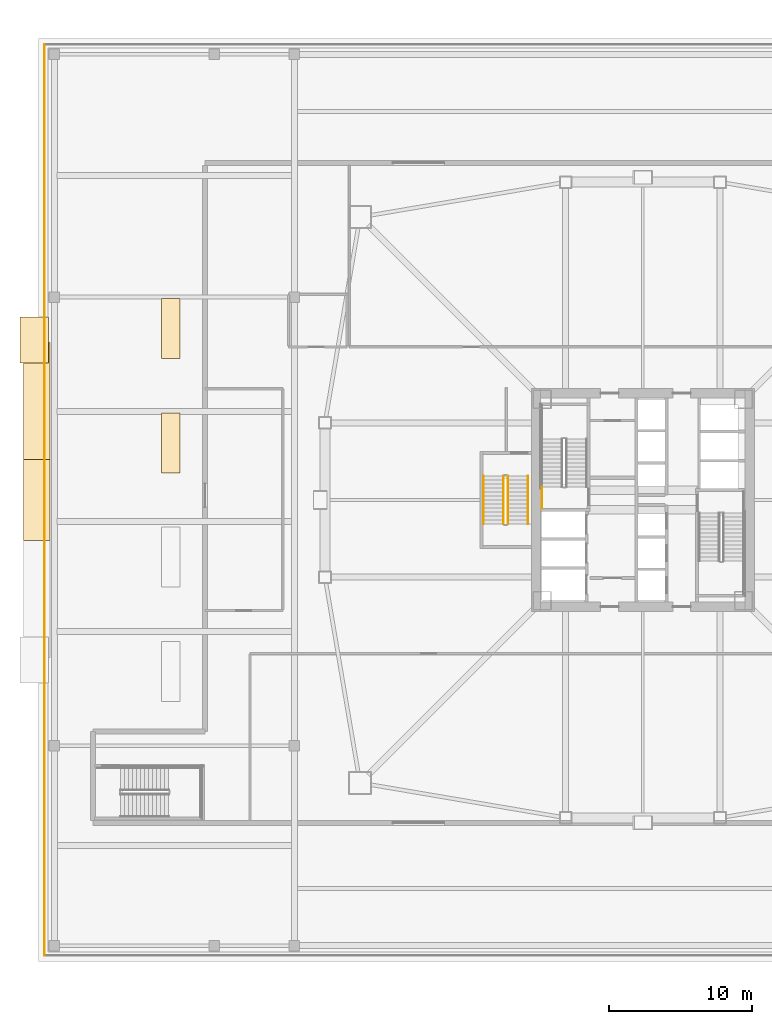
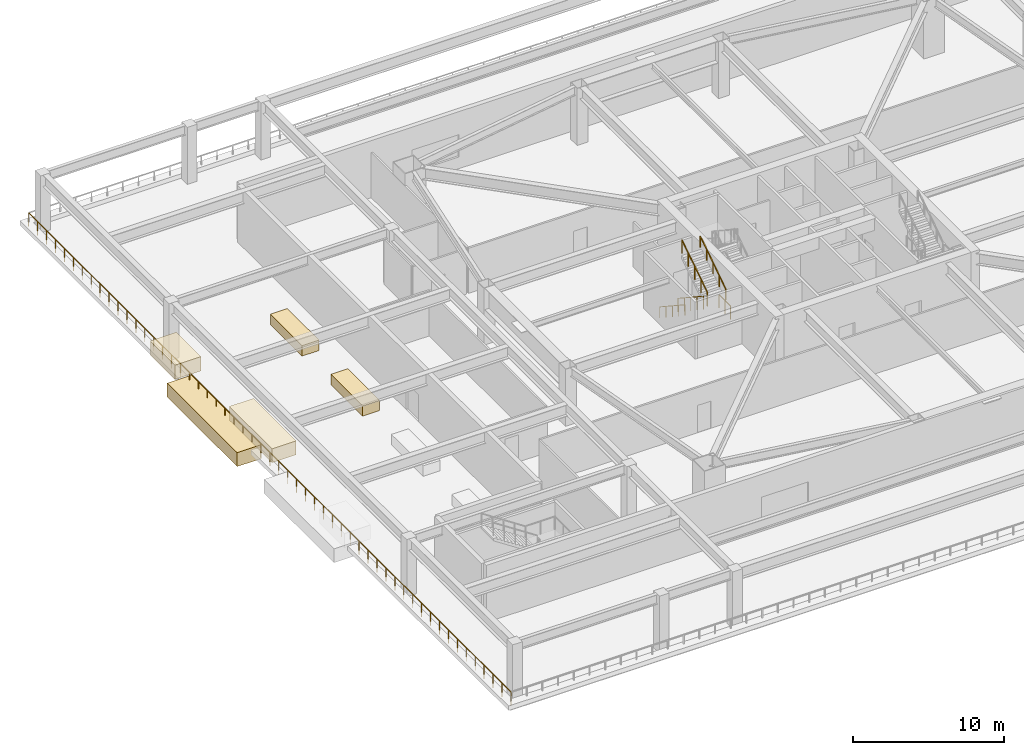
# One storey, part 15 of 21: 6 railings, 5 coverings.
"""IFC4 building model written with IfcOpenShell, lengths in metres."""

from ifc_helpers import new_model, si_unit, direction, frame, origin, origin_2d, place, context, subcontext, project, spatial, rectangle, extrude, material, layer, layer_set, type_object, element, save


model = new_model("IFC4")

# Units and contexts
model_context = context("Model", 3, precision=1e-05, world=origin(), true_north=direction((0.0, 1.0)))
body_context = subcontext(model_context, "Body", "Model", "MODEL_VIEW")
ifc_project = project(units=[si_unit("LENGTHUNIT", "METRE"), si_unit("AREAUNIT", "SQUARE_METRE"), si_unit("VOLUMEUNIT", "CUBIC_METRE"), si_unit("PLANEANGLEUNIT", "RADIAN"), si_unit("MASSUNIT", "GRAM", prefix="KILO")], contexts=[model_context])

# Site, building, storey
site_placement = place(None, origin())
site = spatial("IfcSite", under=ifc_project, at=site_placement, CompositionType="ELEMENT")
building_placement = place(site_placement, origin())
building = spatial("IfcBuilding", under=site, at=building_placement, Name="Tashvorn Skyway Center", CompositionType="ELEMENT")
storey_placement = place(building_placement, frame((0.0, 0.0, 19.800048828125)))
storey = spatial("IfcBuildingStorey", under=building, at=storey_placement, Name="L04", CompositionType="ELEMENT", Elevation=19.800048828125)

# Coverings
ifc_material_1 = material(Name="Precast concrete C40/50", Category="concrete")
ifc_layer = layer(ifc_material_1, 0.35009765625)
ifc_layer_set = layer_set([ifc_layer], Name="Precast concrete C40/50")
covering_type = type_object("IfcCoveringType", Name="COV-STONE-TRIM", PredefinedType="CLADDING", material=ifc_layer_set)
for number, where, z_axis, x_axis, name in (
    (1, (8.949951171875, 36.0, 0.0), (0.0, 0.0, 1.0), (1.0, 0.0, 0.0), "L04 Colonnade Terrace Stone Planter 3"),
    (2, (8.949951171875, 44.0, 0.0), (0.0, 0.0, 1.0), (1.0, 0.0, 0.0), "L04 Colonnade Terrace Stone Planter 4"),
):
    element("IfcCovering", number, at=place(storey_placement, frame(where, z_axis=z_axis, x_axis=x_axis)), inside=storey, type_object=covering_type, Name=name, PredefinedType="CLADDING", context=body_context, shape_type="SweptSolid", body=[
        extrude(rectangle(XDim=1.300048828125, YDim=4.199951171875, at=origin_2d()), origin(), (0.0, 0.0, 1.0), 0.840087890625),
    ])
covering_1_placement = place(storey_placement, frame((-0.60009765625, 43.199951171875, 1.77490234375), z_axis=(0.0, 0.0, 1.0), x_axis=(1.0, 0.0, 0.0)))
element("IfcCovering", 3, at=covering_1_placement, inside=storey, type_object=covering_type, Name="Station Pylon Terracotta Capital WEST 2", PredefinedType="CLADDING", context=body_context, shape_type="SweptSolid", body=[
    extrude(rectangle(XDim=2.0, YDim=3.25, at=origin_2d()), origin(), (0.0, 0.0, 1.0), 1.14990234375),
])
covering_2_placement = place(storey_placement, frame((-0.419921875, 38.39990234375, -0.610107421875), z_axis=(0.0, 0.0, 1.0), x_axis=(1.0, 0.0, 0.0)))
element("IfcCovering", 4, at=covering_2_placement, inside=storey, type_object=covering_type, Name="Station Split-Pediment Terracotta Crest WEST R", PredefinedType="CLADDING", context=body_context, shape_type="SweptSolid", body=[
    extrude(rectangle(XDim=1.85009765625, YDim=9.25, at=origin_2d()), origin(), (0.0, 0.0, 1.0), 1.1201171875),
])
covering_3_placement = place(storey_placement, frame((-0.419921875, 32.0, 2.489990234375), z_axis=(0.0, 0.0, 1.0), x_axis=(1.0, 0.0, 0.0)))
element("IfcCovering", 5, at=covering_3_placement, inside=storey, type_object=covering_type, Name="Station Split-Pediment Terracotta Crest WEST KEY", PredefinedType="CLADDING", context=body_context, shape_type="SweptSolid", body=[
    extrude(rectangle(XDim=1.85009765625, YDim=5.64990234375, at=origin_2d()), origin(), (0.0, 0.0, 1.0), 1.1201171875),
])

# Railings
ifc_material_2 = material(Name="Galvanized steel S355", Category="steel")
railing_type_1 = type_object("IfcRailingType", Name="RAIL-GUARD-1120", PredefinedType="GUARDRAIL", material=ifc_material_2)
railing_1_placement = place(storey_placement, frame((0.1201171875, 63.8798828125, 0.0)))
element("IfcRailing", 6, at=railing_1_placement, inside=storey, type_object=railing_type_1, Name="L04 Stepped Podium Colonnade Terrace Guardrail 04", PredefinedType="GUARDRAIL", context=body_context, shape_type="SweptSolid", body=[
    extrude(rectangle(XDim=0.048095703125, YDim=0.048095703125, at=origin_2d()), frame((0.0, 0.0, 1.09619140625), z_axis=(0.0, -1.0, 0.0), x_axis=(1.0, 0.0, 0.0)), (0.0, 0.0, 1.0), 63.759765625),
    extrude(rectangle(XDim=0.0419921875, YDim=0.0419921875, at=origin_2d()), origin(), (0.0, 0.0, 1.0), 1.072021484375),
    extrude(rectangle(XDim=0.0419921875, YDim=0.0419921875, at=origin_2d()), frame((0.0, -1.1806640625, 0.0)), (0.0, 0.0, 1.0), 1.072021484375),
    extrude(rectangle(XDim=0.0419921875, YDim=0.0419921875, at=origin_2d()), frame((0.0, -2.361572265625, 0.0)), (0.0, 0.0, 1.0), 1.072021484375),
    extrude(rectangle(XDim=0.0419921875, YDim=0.0419921875, at=origin_2d()), frame((0.0, -3.542236328125, 0.0)), (0.0, 0.0, 1.0), 1.072021484375),
    extrude(rectangle(XDim=0.0419921875, YDim=0.0419921875, at=origin_2d()), frame((0.0, -4.722900390625, 0.0)), (0.0, 0.0, 1.0), 1.072021484375),
    extrude(rectangle(XDim=0.0419921875, YDim=0.0419921875, at=origin_2d()), frame((0.0, -5.903564453125, 0.0)), (0.0, 0.0, 1.0), 1.072021484375),
    extrude(rectangle(XDim=0.0419921875, YDim=0.0419921875, at=origin_2d()), frame((0.0, -7.08447265625, 0.0)), (0.0, 0.0, 1.0), 1.072021484375),
    extrude(rectangle(XDim=0.0419921875, YDim=0.0419921875, at=origin_2d()), frame((0.0, -8.26513671875, 0.0)), (0.0, 0.0, 1.0), 1.072021484375),
    extrude(rectangle(XDim=0.0419921875, YDim=0.0419921875, at=origin_2d()), frame((0.0, -9.44580078125, 0.0)), (0.0, 0.0, 1.0), 1.072021484375),
    extrude(rectangle(XDim=0.0419921875, YDim=0.0419921875, at=origin_2d()), frame((0.0, -10.626708984375, 0.0)), (0.0, 0.0, 1.0), 1.072021484375),
    extrude(rectangle(XDim=0.0419921875, YDim=0.0419921875, at=origin_2d()), frame((0.0, -11.807373046875, 0.0)), (0.0, 0.0, 1.0), 1.072021484375),
    extrude(rectangle(XDim=0.0419921875, YDim=0.0419921875, at=origin_2d()), frame((0.0, -12.988037109375, 0.0)), (0.0, 0.0, 1.0), 1.072021484375),
    extrude(rectangle(XDim=0.0419921875, YDim=0.0419921875, at=origin_2d()), frame((0.0, -14.1689453125, 0.0)), (0.0, 0.0, 1.0), 1.072021484375),
    extrude(rectangle(XDim=0.0419921875, YDim=0.0419921875, at=origin_2d()), frame((0.0, -15.349609375, 0.0)), (0.0, 0.0, 1.0), 1.072021484375),
    extrude(rectangle(XDim=0.0419921875, YDim=0.0419921875, at=origin_2d()), frame((0.0, -16.5302734375, 0.0)), (0.0, 0.0, 1.0), 1.072021484375),
    extrude(rectangle(XDim=0.0419921875, YDim=0.0419921875, at=origin_2d()), frame((0.0, -17.7109375, 0.0)), (0.0, 0.0, 1.0), 1.072021484375),
    extrude(rectangle(XDim=0.0419921875, YDim=0.0419921875, at=origin_2d()), frame((0.0, -18.891845703125, 0.0)), (0.0, 0.0, 1.0), 1.072021484375),
    extrude(rectangle(XDim=0.0419921875, YDim=0.0419921875, at=origin_2d()), frame((0.0, -20.072509765625, 0.0)), (0.0, 0.0, 1.0), 1.072021484375),
    extrude(rectangle(XDim=0.0419921875, YDim=0.0419921875, at=origin_2d()), frame((0.0, -21.253173828125, 0.0)), (0.0, 0.0, 1.0), 1.072021484375),
    extrude(rectangle(XDim=0.0419921875, YDim=0.0419921875, at=origin_2d()), frame((0.0, -22.43408203125, 0.0)), (0.0, 0.0, 1.0), 1.072021484375),
    extrude(rectangle(XDim=0.0419921875, YDim=0.0419921875, at=origin_2d()), frame((0.0, -23.61474609375, 0.0)), (0.0, 0.0, 1.0), 1.072021484375),
    extrude(rectangle(XDim=0.0419921875, YDim=0.0419921875, at=origin_2d()), frame((0.0, -24.79541015625, 0.0)), (0.0, 0.0, 1.0), 1.072021484375),
    extrude(rectangle(XDim=0.0419921875, YDim=0.0419921875, at=origin_2d()), frame((0.0, -25.976318359375, 0.0)), (0.0, 0.0, 1.0), 1.072021484375),
    extrude(rectangle(XDim=0.0419921875, YDim=0.0419921875, at=origin_2d()), frame((0.0, -27.156982421875, 0.0)), (0.0, 0.0, 1.0), 1.072021484375),
    extrude(rectangle(XDim=0.0419921875, YDim=0.0419921875, at=origin_2d()), frame((0.0, -28.337646484375, 0.0)), (0.0, 0.0, 1.0), 1.072021484375),
    extrude(rectangle(XDim=0.0419921875, YDim=0.0419921875, at=origin_2d()), frame((0.0, -29.518310546875, 0.0)), (0.0, 0.0, 1.0), 1.072021484375),
    extrude(rectangle(XDim=0.0419921875, YDim=0.0419921875, at=origin_2d()), frame((0.0, -30.69921875, 0.0)), (0.0, 0.0, 1.0), 1.072021484375),
    extrude(rectangle(XDim=0.0419921875, YDim=0.0419921875, at=origin_2d()), frame((0.0, -31.8798828125, 0.0)), (0.0, 0.0, 1.0), 1.072021484375),
    extrude(rectangle(XDim=0.0419921875, YDim=0.0419921875, at=origin_2d()), frame((0.0, -33.060546875, 0.0)), (0.0, 0.0, 1.0), 1.072021484375),
    extrude(rectangle(XDim=0.0419921875, YDim=0.0419921875, at=origin_2d()), frame((0.0, -34.241455078125, 0.0)), (0.0, 0.0, 1.0), 1.072021484375),
    extrude(rectangle(XDim=0.0419921875, YDim=0.0419921875, at=origin_2d()), frame((0.0, -35.422119140625, 0.0)), (0.0, 0.0, 1.0), 1.072021484375),
    extrude(rectangle(XDim=0.0419921875, YDim=0.0419921875, at=origin_2d()), frame((0.0, -36.602783203125, 0.0)), (0.0, 0.0, 1.0), 1.072021484375),
    extrude(rectangle(XDim=0.0419921875, YDim=0.0419921875, at=origin_2d()), frame((0.0, -37.783447265625, 0.0)), (0.0, 0.0, 1.0), 1.072021484375),
    extrude(rectangle(XDim=0.0419921875, YDim=0.0419921875, at=origin_2d()), frame((0.0, -38.96435546875, 0.0)), (0.0, 0.0, 1.0), 1.072021484375),
    extrude(rectangle(XDim=0.0419921875, YDim=0.0419921875, at=origin_2d()), frame((0.0, -40.14501953125, 0.0)), (0.0, 0.0, 1.0), 1.072021484375),
    extrude(rectangle(XDim=0.0419921875, YDim=0.0419921875, at=origin_2d()), frame((0.0, -41.32568359375, 0.0)), (0.0, 0.0, 1.0), 1.072021484375),
    extrude(rectangle(XDim=0.0419921875, YDim=0.0419921875, at=origin_2d()), frame((0.0, -42.506591796875, 0.0)), (0.0, 0.0, 1.0), 1.072021484375),
    extrude(rectangle(XDim=0.0419921875, YDim=0.0419921875, at=origin_2d()), frame((0.0, -43.687255859375, 0.0)), (0.0, 0.0, 1.0), 1.072021484375),
    extrude(rectangle(XDim=0.0419921875, YDim=0.0419921875, at=origin_2d()), frame((0.0, -44.867919921875, 0.0)), (0.0, 0.0, 1.0), 1.072021484375),
    extrude(rectangle(XDim=0.0419921875, YDim=0.0419921875, at=origin_2d()), frame((0.0, -46.048828125, 0.0)), (0.0, 0.0, 1.0), 1.072021484375),
    extrude(rectangle(XDim=0.0419921875, YDim=0.0419921875, at=origin_2d()), frame((0.0, -47.2294921875, 0.0)), (0.0, 0.0, 1.0), 1.072021484375),
    extrude(rectangle(XDim=0.0419921875, YDim=0.0419921875, at=origin_2d()), frame((0.0, -48.41015625, 0.0)), (0.0, 0.0, 1.0), 1.072021484375),
    extrude(rectangle(XDim=0.0419921875, YDim=0.0419921875, at=origin_2d()), frame((0.0, -49.5908203125, 0.0)), (0.0, 0.0, 1.0), 1.072021484375),
    extrude(rectangle(XDim=0.0419921875, YDim=0.0419921875, at=origin_2d()), frame((0.0, -50.771728515625, 0.0)), (0.0, 0.0, 1.0), 1.072021484375),
    extrude(rectangle(XDim=0.0419921875, YDim=0.0419921875, at=origin_2d()), frame((0.0, -51.952392578125, 0.0)), (0.0, 0.0, 1.0), 1.072021484375),
    extrude(rectangle(XDim=0.0419921875, YDim=0.0419921875, at=origin_2d()), frame((0.0, -53.133056640625, 0.0)), (0.0, 0.0, 1.0), 1.072021484375),
    extrude(rectangle(XDim=0.0419921875, YDim=0.0419921875, at=origin_2d()), frame((0.0, -54.31396484375, 0.0)), (0.0, 0.0, 1.0), 1.072021484375),
    extrude(rectangle(XDim=0.0419921875, YDim=0.0419921875, at=origin_2d()), frame((0.0, -55.49462890625, 0.0)), (0.0, 0.0, 1.0), 1.072021484375),
    extrude(rectangle(XDim=0.0419921875, YDim=0.0419921875, at=origin_2d()), frame((0.0, -56.67529296875, 0.0)), (0.0, 0.0, 1.0), 1.072021484375),
    extrude(rectangle(XDim=0.0419921875, YDim=0.0419921875, at=origin_2d()), frame((0.0, -57.856201171875, 0.0)), (0.0, 0.0, 1.0), 1.072021484375),
    extrude(rectangle(XDim=0.0419921875, YDim=0.0419921875, at=origin_2d()), frame((0.0, -59.036865234375, 0.0)), (0.0, 0.0, 1.0), 1.072021484375),
    extrude(rectangle(XDim=0.0419921875, YDim=0.0419921875, at=origin_2d()), frame((0.0, -60.217529296875, 0.0)), (0.0, 0.0, 1.0), 1.072021484375),
    extrude(rectangle(XDim=0.0419921875, YDim=0.0419921875, at=origin_2d()), frame((0.0, -61.398193359375, 0.0)), (0.0, 0.0, 1.0), 1.072021484375),
    extrude(rectangle(XDim=0.0419921875, YDim=0.0419921875, at=origin_2d()), frame((0.0, -62.5791015625, 0.0)), (0.0, 0.0, 1.0), 1.072021484375),
    extrude(rectangle(XDim=0.0419921875, YDim=0.0419921875, at=origin_2d()), frame((0.0, -63.759765625, 0.0)), (0.0, 0.0, 1.0), 1.072021484375),
])
ifc_material_3 = material(Name="Brushed stainless steel 316", Category="steel")
railing_type_2 = type_object("IfcRailingType", Name="RAIL-HAND-920", PredefinedType="HANDRAIL", material=ifc_material_3)
railing_2_placement = place(storey_placement, frame((30.85009765625, 33.679931640625, 0.1845703125)))
element("IfcRailing", 7, at=railing_2_placement, inside=storey, type_object=railing_type_2, Name="L04 ST-T1-3 stair handrail 1", PredefinedType="HANDRAIL", context=body_context, shape_type="SweptSolid", body=[
    extrude(rectangle(XDim=0.048095703125, YDim=0.048095703125, at=origin_2d()), frame((0.0, 0.0, 0.8759765625), z_axis=(0.0, -0.834858096282, 0.550465220583), x_axis=(1.0, 0.0, 0.0)), (0.0, 0.0, 1.0), 4.0244140625),
    extrude(rectangle(XDim=0.0419921875, YDim=0.0419921875, at=origin_2d()), origin(), (0.0, 0.0, 1.0), 0.851806640625),
    extrude(rectangle(XDim=0.0419921875, YDim=0.0419921875, at=origin_2d()), frame((0.0, -0.83984375, 0.5537109375)), (0.0, 0.0, 1.0), 0.851806640625),
    extrude(rectangle(XDim=0.0419921875, YDim=0.0419921875, at=origin_2d()), frame((0.0, -1.679931640625, 1.107666015625)), (0.0, 0.0, 1.0), 0.851806640625),
    extrude(rectangle(XDim=0.0419921875, YDim=0.0419921875, at=origin_2d()), frame((0.0, -2.52001953125, 1.66162109375)), (0.0, 0.0, 1.0), 0.851806640625),
    extrude(rectangle(XDim=0.0419921875, YDim=0.0419921875, at=origin_2d()), frame((0.0, -3.35986328125, 2.21533203125)), (0.0, 0.0, 1.0), 0.851806640625),
])
railing_3_placement = place(storey_placement, frame((33.949951171875, 30.320068359375, 2.58447265625)))
element("IfcRailing", 8, at=railing_3_placement, inside=storey, type_object=railing_type_2, Name="L04 ST-T1-3 stair handrail 2", PredefinedType="HANDRAIL", context=body_context, shape_type="SweptSolid", body=[
    extrude(rectangle(XDim=0.048095703125, YDim=0.048095703125, at=origin_2d()), frame((0.0, 0.0, 0.8759765625), z_axis=(0.0, 0.83483021737, 0.550507500554), x_axis=(-1.0, 0.0, 0.0)), (0.0, 0.0, 1.0), 4.024658203125),
    extrude(rectangle(XDim=0.0419921875, YDim=0.0419921875, at=origin_2d()), origin(), (0.0, 0.0, 1.0), 0.851806640625),
    extrude(rectangle(XDim=0.0419921875, YDim=0.0419921875, at=origin_2d()), frame((0.0, 0.83984375, 0.553955078125)), (0.0, 0.0, 1.0), 0.851806640625),
    extrude(rectangle(XDim=0.0419921875, YDim=0.0419921875, at=origin_2d()), frame((0.0, 1.679931640625, 1.10791015625)), (0.0, 0.0, 1.0), 0.851806640625),
    extrude(rectangle(XDim=0.0419921875, YDim=0.0419921875, at=origin_2d()), frame((0.0, 2.52001953125, 1.66162109375)), (0.0, 0.0, 1.0), 0.851806640625),
    extrude(rectangle(XDim=0.0419921875, YDim=0.0419921875, at=origin_2d()), frame((0.0, 3.35986328125, 2.215576171875)), (0.0, 0.0, 1.0), 0.851806640625),
])
ifc_material_4 = material(Name="Painted galvanized steel S355", Category="steel")
railing_type_3 = type_object("IfcRailingType", Name="RAIL-STGUARD-1100", PredefinedType="GUARDRAIL", material=ifc_material_4)
railing_4_placement = place(storey_placement, frame((34.949951171875, 31.39990234375, 0.0)))
element("IfcRailing", 9, at=railing_4_placement, inside=storey, type_object=railing_type_3, Name="L04 ST-T1-1 stair guard 6", PredefinedType="GUARDRAIL", context=body_context, shape_type="SweptSolid", body=[
    extrude(rectangle(XDim=0.048095703125, YDim=0.048095703125, at=origin_2d()), frame((0.0, 0.0, 1.076171875), z_axis=(0.0, 1.0, 0.0), x_axis=(-1.0, 0.0, 0.0)), (0.0, 0.0, 1.0), 1.52001953125),
    extrude(rectangle(XDim=0.0419921875, YDim=0.0419921875, at=origin_2d()), origin(), (0.0, 0.0, 1.0), 1.052001953125),
    extrude(rectangle(XDim=0.0419921875, YDim=0.0419921875, at=origin_2d()), frame((0.0, 0.760009765625, 0.0)), (0.0, 0.0, 1.0), 1.052001953125),
    extrude(rectangle(XDim=0.0419921875, YDim=0.0419921875, at=origin_2d()), frame((0.0, 1.52001953125, 0.0)), (0.0, 0.0, 1.0), 1.052001953125),
])
railing_5_placement = place(storey_placement, frame((32.25, 33.679931640625, 0.1845703125)))
element("IfcRailing", 10, at=railing_5_placement, inside=storey, type_object=railing_type_3, Name="L04 ST-T1-3 stair guard 1", PredefinedType="GUARDRAIL", context=body_context, shape_type="SweptSolid", body=[
    extrude(rectangle(XDim=0.048095703125, YDim=0.048095703125, at=origin_2d()), frame((0.0, 0.0, 1.076171875), z_axis=(0.0, -0.834858096282, 0.550465220583), x_axis=(1.0, 0.0, 0.0)), (0.0, 0.0, 1.0), 4.0244140625),
    extrude(rectangle(XDim=0.0419921875, YDim=0.0419921875, at=origin_2d()), origin(), (0.0, 0.0, 1.0), 1.052001953125),
    extrude(rectangle(XDim=0.0419921875, YDim=0.0419921875, at=origin_2d()), frame((0.0, -0.83984375, 0.5537109375)), (0.0, 0.0, 1.0), 1.052001953125),
    extrude(rectangle(XDim=0.0419921875, YDim=0.0419921875, at=origin_2d()), frame((0.0, -1.679931640625, 1.107666015625)), (0.0, 0.0, 1.0), 1.052001953125),
    extrude(rectangle(XDim=0.0419921875, YDim=0.0419921875, at=origin_2d()), frame((0.0, -2.52001953125, 1.66162109375)), (0.0, 0.0, 1.0), 1.052001953125),
    extrude(rectangle(XDim=0.0419921875, YDim=0.0419921875, at=origin_2d()), frame((0.0, -3.35986328125, 2.21533203125)), (0.0, 0.0, 1.0), 1.052001953125),
])
railing_6_placement = place(storey_placement, frame((32.550048828125, 30.320068359375, 2.58447265625)))
element("IfcRailing", 11, at=railing_6_placement, inside=storey, type_object=railing_type_3, Name="L04 ST-T1-3 stair guard 3", PredefinedType="GUARDRAIL", context=body_context, shape_type="SweptSolid", body=[
    extrude(rectangle(XDim=0.048095703125, YDim=0.048095703125, at=origin_2d()), frame((0.0, 0.0, 1.076171875), z_axis=(0.0, 0.83483021737, 0.550507500554), x_axis=(-1.0, 0.0, 0.0)), (0.0, 0.0, 1.0), 4.024658203125),
    extrude(rectangle(XDim=0.0419921875, YDim=0.0419921875, at=origin_2d()), origin(), (0.0, 0.0, 1.0), 1.052001953125),
    extrude(rectangle(XDim=0.0419921875, YDim=0.0419921875, at=origin_2d()), frame((0.0, 0.83984375, 0.553955078125)), (0.0, 0.0, 1.0), 1.052001953125),
    extrude(rectangle(XDim=0.0419921875, YDim=0.0419921875, at=origin_2d()), frame((0.0, 1.679931640625, 1.10791015625)), (0.0, 0.0, 1.0), 1.052001953125),
    extrude(rectangle(XDim=0.0419921875, YDim=0.0419921875, at=origin_2d()), frame((0.0, 2.52001953125, 1.66162109375)), (0.0, 0.0, 1.0), 1.052001953125),
    extrude(rectangle(XDim=0.0419921875, YDim=0.0419921875, at=origin_2d()), frame((0.0, 3.35986328125, 2.215576171875)), (0.0, 0.0, 1.0), 1.052001953125),
])

save(model, "model.ifc")
